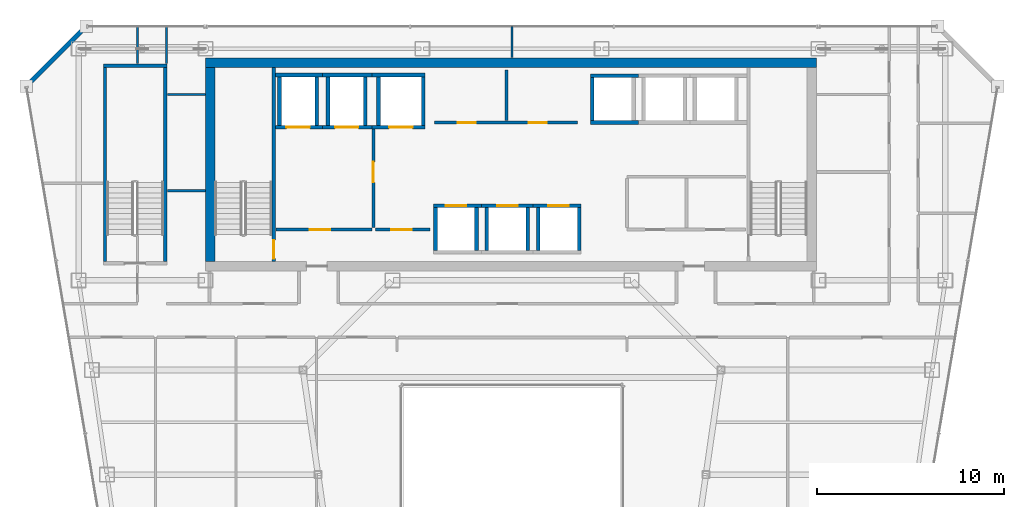
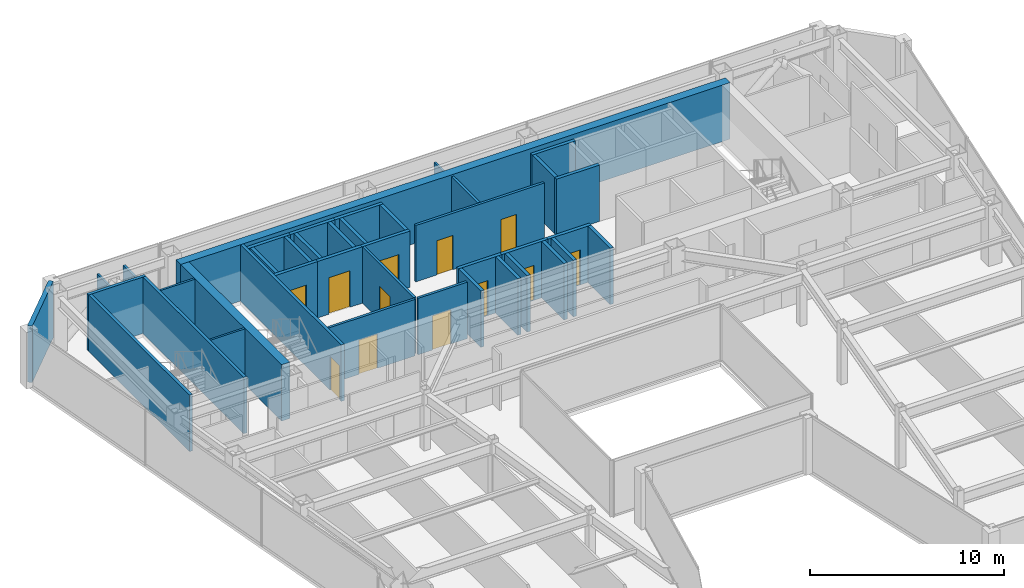
# One storey, part 31 of 35: 41 walls, 12 doors, 12 openings.
"""IFC4 building model written with IfcOpenShell, lengths in metres."""

from ifc_helpers import new_model, si_unit, direction, frame, frame_2d, origin, place, context, subcontext, project, spatial, rectangle, extrude, material, layer, layer_set, type_object, element, fill, save


model = new_model("IFC4")

# Units and contexts
model_context = context("Model", 3, precision=1e-05, world=origin(), true_north=direction((0.0, 1.0)))
body_context = subcontext(model_context, "Body", "Model", "MODEL_VIEW")
ifc_project = project(units=[si_unit("LENGTHUNIT", "METRE"), si_unit("AREAUNIT", "SQUARE_METRE"), si_unit("VOLUMEUNIT", "CUBIC_METRE"), si_unit("PLANEANGLEUNIT", "RADIAN"), si_unit("MASSUNIT", "GRAM", prefix="KILO")], contexts=[model_context])

# Site, building, storey
site_placement = place(None, origin())
site = spatial("IfcSite", under=ifc_project, at=site_placement, CompositionType="ELEMENT")
building_placement = place(site_placement, origin())
building = spatial("IfcBuilding", under=site, at=building_placement, Name="Saevonmaru Cultural Tower", CompositionType="ELEMENT")
storey_placement = place(building_placement, frame((0.0, 0.0, 194.199951171875)))
storey = spatial("IfcBuildingStorey", under=building, at=storey_placement, Name="L44", CompositionType="ELEMENT", Elevation=194.199951171875)

# Walls
ifc_material_1 = material(Name="Concrete C60/75", Category="concrete")
ifc_layer_1 = layer(ifc_material_1, 0.5, Name="Concrete C60/75")
ifc_layer_set_1 = layer_set([ifc_layer_1], Name="Concrete C60/75")
wall_type_1 = type_object("IfcWallType", Name="WL-CORE-500", PredefinedType="SHEAR", material=ifc_layer_set_1)
wall_1_placement = place(storey_placement, frame((13.60009765625, 54.050048828125, 0.0), z_axis=(0.0, 0.0, 1.0), x_axis=(1.0, 0.0, 0.0)))
element("IfcWall", 1, at=wall_1_placement, inside=storey, type_object=wall_type_1, Name="L44 Tower RC core shear wall N", PredefinedType="SHEAR", context=body_context, shape_type="SweptSolid", body=[
    extrude(rectangle(XDim=32.699951171875, YDim=0.5, at=frame_2d((16.35009765625, 0.0))), origin(), (0.0, 0.0, 1.0), 3.550048828125),
])
wall_2_placement = place(storey_placement, frame((13.85009765625, 43.39990234375, 0.0), z_axis=(0.0, 0.0, 1.0), x_axis=(0.0, 1.0, 0.0)))
element("IfcWall", 2, at=wall_2_placement, inside=storey, type_object=wall_type_1, Name="L44 Tower RC core shear wall W", PredefinedType="SHEAR", context=body_context, shape_type="SweptSolid", body=[
    extrude(rectangle(XDim=10.400146484375, YDim=0.5, at=frame_2d((5.2001953125, 0.0))), origin(), (0.0, 0.0, 1.0), 3.550048828125),
])

# Wall, opening, door
ifc_material_2 = material(Name="Gypsum Fireboard Partition", Category="gypsum")
ifc_layer_2 = layer(ifc_material_2, 0.14990234375, Name="Gypsum Fireboard Partition")
ifc_layer_set_2 = layer_set([ifc_layer_2], Name="Gypsum Fireboard Partition")
wall_type_2 = type_object("IfcWallType", Name="WL-CORE-PART-150", PredefinedType="PARTITIONING", material=ifc_layer_set_2)
wall_3_placement = place(storey_placement, frame((17.360107421875, 45.1201171875, 0.0), z_axis=(0.0, 0.0, 1.0), x_axis=(1.0, 0.0, 0.0)))
wall_3 = element("IfcWall", 3, at=wall_3_placement, inside=storey, type_object=wall_type_2, Name="L44 Firefighting Lift Lobby South Wall", PredefinedType="PARTITIONING", context=body_context, shape_type="SweptSolid", body=[
    extrude(rectangle(XDim=5.139892578125, YDim=0.14990234375, at=frame_2d((2.56982421875, 0.0))), origin(), (0.0, 0.0, 1.0), 3.550048828125),
])
opening_1_placement = place(wall_3_placement, frame((1.800048828125, 0.0, 0.0)))
opening_1 = element("IfcOpeningElement", 4, at=opening_1_placement, cuts=wall_3, Name="Opening FD-2", PredefinedType="OPENING", context=body_context, shape_type="SweptSolid", body=[
    extrude(rectangle(XDim=1.10009765625, YDim=2.14990234375, at=frame_2d((0.550048828125, 1.074951171875))), frame((0.0, 0.0849609375, 0.0), z_axis=(0.0, -1.0, 0.0), x_axis=(1.0, 0.0, 0.0)), (0.0, 0.0, 1.0), 0.169921875),
])
ifc_material_3 = material(Name="Satin Bronze Anodised Aluminium", Category="aluminium")
door_type_1 = type_object("IfcDoorType", Name="DR-FD60-1100", OperationType="SINGLE_SWING_LEFT", PredefinedType="DOOR", material=ifc_material_3)
door_1_placement = place(opening_1_placement, origin())
door_1 = element("IfcDoor", 5, at=door_1_placement, inside=storey, type_object=door_type_1, Name="L44 Firefighting Lift Lobby South Door", OperationType="SINGLE_SWING_LEFT", OverallHeight=2.14990234375, OverallWidth=1.10009765625, PredefinedType="DOOR", context=body_context, shape_type="SweptSolid", body=[
    extrude(rectangle(XDim=1.10009765625, YDim=2.14990234375, at=frame_2d((0.550048828125, 1.074951171875))), frame((0.0, 0.02490234375, 0.0), z_axis=(0.0, -1.0, 0.0), x_axis=(1.0, 0.0, 0.0)), (0.0, 0.0, 1.0), 0.050048828125),
])
fill(opening_1, door_1)

wall_4_placement = place(storey_placement, frame((22.580078125, 50.550048828125, 0.0), z_axis=(0.0, 0.0, 1.0), x_axis=(0.0, -1.0, 0.0)))
wall_4 = element("IfcWall", 6, at=wall_4_placement, inside=storey, type_object=wall_type_2, Name="L44 Firefighting Lift Lobby East Wall", PredefinedType="PARTITIONING", context=body_context, shape_type="SweptSolid", body=[
    extrude(rectangle(XDim=5.330078125, YDim=0.14990234375, at=frame_2d((2.6650390625, 0.0))), origin(), (0.0, 0.0, 1.0), 3.550048828125),
])
opening_2_placement = place(wall_4_placement, frame((1.800048828125, 0.0, 0.0)))
opening_2 = element("IfcOpeningElement", 7, at=opening_2_placement, cuts=wall_4, Name="Opening FD-2", PredefinedType="OPENING", context=body_context, shape_type="SweptSolid", body=[
    extrude(rectangle(XDim=1.10009765625, YDim=2.14990234375, at=frame_2d((0.550048828125, 1.074951171875))), frame((0.0, 0.0849609375, 0.0), z_axis=(0.0, -1.0, 0.0), x_axis=(1.0, 0.0, 0.0)), (0.0, 0.0, 1.0), 0.169921875),
])
door_2_placement = place(opening_2_placement, origin())
door_2 = element("IfcDoor", 8, at=door_2_placement, inside=storey, type_object=door_type_1, Name="L44 Firefighting Lift Lobby East Door", OperationType="SINGLE_SWING_LEFT", OverallHeight=2.14990234375, OverallWidth=1.10009765625, PredefinedType="DOOR", context=body_context, shape_type="SweptSolid", body=[
    extrude(rectangle(XDim=1.10009765625, YDim=2.14990234375, at=frame_2d((0.550048828125, 1.074951171875))), frame((0.0, 0.02490234375, 0.0), z_axis=(0.0, -1.0, 0.0), x_axis=(1.0, 0.0, 0.0)), (0.0, 0.0, 1.0), 0.050048828125),
])
fill(opening_2, door_2)

wall_5_placement = place(storey_placement, frame((22.679931640625, 45.1201171875, 0.0), z_axis=(0.0, 0.0, 1.0), x_axis=(1.0, 0.0, 0.0)))
wall_5 = element("IfcWall", 9, at=wall_5_placement, inside=storey, type_object=wall_type_2, Name="L44 Service Lift Vestibule Wall", PredefinedType="PARTITIONING", context=body_context, shape_type="SweptSolid", body=[
    extrude(rectangle(XDim=2.920166015625, YDim=0.14990234375, at=frame_2d((1.4599609375, 0.0))), origin(), (0.0, 0.0, 1.0), 3.550048828125),
])
opening_3_placement = place(wall_5_placement, frame((0.85009765625, 0.0, 0.0)))
opening_3 = element("IfcOpeningElement", 10, at=opening_3_placement, cuts=wall_5, Name="Opening FD-2", PredefinedType="OPENING", context=body_context, shape_type="SweptSolid", body=[
    extrude(rectangle(XDim=1.10009765625, YDim=2.14990234375, at=frame_2d((0.550048828125, 1.074951171875))), frame((0.0, 0.0849609375, 0.0), z_axis=(0.0, -1.0, 0.0), x_axis=(1.0, 0.0, 0.0)), (0.0, 0.0, 1.0), 0.169921875),
])
door_3_placement = place(opening_3_placement, origin())
door_3 = element("IfcDoor", 11, at=door_3_placement, inside=storey, type_object=door_type_1, Name="L44 Service Lift Vestibule Door", OperationType="SINGLE_SWING_LEFT", OverallHeight=2.14990234375, OverallWidth=1.10009765625, PredefinedType="DOOR", context=body_context, shape_type="SweptSolid", body=[
    extrude(rectangle(XDim=1.10009765625, YDim=2.14990234375, at=frame_2d((0.550048828125, 1.074951171875))), frame((0.0, 0.02490234375, 0.0), z_axis=(0.0, -1.0, 0.0), x_axis=(1.0, 0.0, 0.0)), (0.0, 0.0, 1.0), 0.050048828125),
])
fill(opening_3, door_3)

# Wall, openings, doors
wall_6_placement = place(storey_placement, frame((25.85009765625, 50.85009765625, 0.0), z_axis=(0.0, 0.0, 1.0), x_axis=(1.0, 0.0, 0.0)))
wall_6 = element("IfcWall", 12, at=wall_6_placement, inside=storey, type_object=wall_type_2, Name="L44 Reclaimed Core Room South Wall", PredefinedType="PARTITIONING", context=body_context, shape_type="SweptSolid", body=[
    extrude(rectangle(XDim=7.64990234375, YDim=0.14990234375, at=frame_2d((3.824951171875, 0.0))), origin(), (0.0, 0.0, 1.0), 3.550048828125),
])
opening_4_placement = place(wall_6_placement, frame((1.25, 0.0, 0.0)))
opening_4 = element("IfcOpeningElement", 13, at=opening_4_placement, cuts=wall_6, Name="Opening FD-4", PredefinedType="OPENING", context=body_context, shape_type="SweptSolid", body=[
    extrude(rectangle(XDim=0.949951171875, YDim=2.14990234375, at=frame_2d((0.47509765625, 1.074951171875))), frame((0.0, 0.0849609375, 0.0), z_axis=(0.0, -1.0, 0.0), x_axis=(1.0, 0.0, 0.0)), (0.0, 0.0, 1.0), 0.169921875),
])
opening_5_placement = place(wall_6_placement, frame((5.050048828125, 0.0, 0.0)))
opening_5 = element("IfcOpeningElement", 14, at=opening_5_placement, cuts=wall_6, Name="Opening FD-4", PredefinedType="OPENING", context=body_context, shape_type="SweptSolid", body=[
    extrude(rectangle(XDim=0.949951171875, YDim=2.14990234375, at=frame_2d((0.47509765625, 1.074951171875))), frame((0.0, 0.0849609375, 0.0), z_axis=(0.0, -1.0, 0.0), x_axis=(1.0, 0.0, 0.0)), (0.0, 0.0, 1.0), 0.169921875),
])
door_type_2 = type_object("IfcDoorType", Name="DR-FD60-950", OperationType="SINGLE_SWING_LEFT", PredefinedType="DOOR", material=ifc_material_3)
door_4_placement = place(opening_4_placement, origin())
door_4 = element("IfcDoor", 15, at=door_4_placement, inside=storey, type_object=door_type_2, Name="L44 Reclaimed Archive Vault Door", OperationType="SINGLE_SWING_LEFT", OverallHeight=2.14990234375, OverallWidth=0.949951171875, PredefinedType="DOOR", context=body_context, shape_type="SweptSolid", body=[
    extrude(rectangle(XDim=0.949951171875, YDim=2.14990234375, at=frame_2d((0.47509765625, 1.074951171875))), frame((0.0, 0.02490234375, 0.0), z_axis=(0.0, -1.0, 0.0), x_axis=(1.0, 0.0, 0.0)), (0.0, 0.0, 1.0), 0.050048828125),
])
fill(opening_4, door_4)
door_5_placement = place(opening_5_placement, origin())
door_5 = element("IfcDoor", 16, at=door_5_placement, inside=storey, type_object=door_type_2, Name="L44 Reclaimed Conservation Storage Door", OperationType="SINGLE_SWING_LEFT", OverallHeight=2.14990234375, OverallWidth=0.949951171875, PredefinedType="DOOR", context=body_context, shape_type="SweptSolid", body=[
    extrude(rectangle(XDim=0.949951171875, YDim=2.14990234375, at=frame_2d((0.47509765625, 1.074951171875))), frame((0.0, 0.02490234375, 0.0), z_axis=(0.0, -1.0, 0.0), x_axis=(1.0, 0.0, 0.0)), (0.0, 0.0, 1.0), 0.050048828125),
])
fill(opening_5, door_5)

# Walls
wall_7_placement = place(storey_placement, frame((29.699951171875, 50.949951171875, 0.0), z_axis=(0.0, 0.0, 1.0), x_axis=(0.0, 1.0, 0.0)))
element("IfcWall", 17, at=wall_7_placement, inside=storey, type_object=wall_type_2, Name="L44 Reclaimed Vault Split", PredefinedType="PARTITIONING", context=body_context, shape_type="SweptSolid", body=[
    extrude(rectangle(XDim=2.699951171875, YDim=0.14990234375, at=frame_2d((1.35009765625, 0.0))), origin(), (0.0, 0.0, 1.0), 3.550048828125),
])
ifc_material_4 = material(Name="Granite-Clad Precast Concrete C40/50", Category="masonry")
ifc_layer_3 = layer(ifc_material_4, 0.260009765625, Name="Granite-Clad Precast Concrete C40/50")
ifc_layer_set_3 = layer_set([ifc_layer_3], Name="Granite-Clad Precast Concrete C40/50")
wall_type_3 = type_object("IfcWallType", Name="WL-EXT-SPANDREL-260", PredefinedType="STANDARD", material=ifc_layer_set_3)
wall_8_placement = place(storey_placement, frame((7.0869140625, 55.886962890625, 0.0), z_axis=(0.0, 0.0, 1.0), x_axis=(-0.707106781187, -0.707106781187, 0.0)))
element("IfcWall", 18, at=wall_8_placement, inside=storey, type_object=wall_type_3, Name="L44 Chamfer Corner Spandrel Wall E11", PredefinedType="STANDARD", context=body_context, shape_type="SweptSolid", body=[
    extrude(rectangle(XDim=4.205810546875, YDim=0.260009765625, at=frame_2d((2.10302734375, 0.0))), origin(), (0.0, 0.0, 1.0), 3.550048828125),
])
ifc_layer_4 = layer(ifc_material_2, 0.1201171875, Name="Gypsum Fireboard Partition")
ifc_layer_set_4 = layer_set([ifc_layer_4], Name="Gypsum Fireboard Partition")
wall_type_4 = type_object("IfcWallType", Name="WL-PART-GYP-120", PredefinedType="PARTITIONING", material=ifc_layer_set_4)
wall_9_placement = place(storey_placement, frame((11.550048828125, 52.35009765625, 0.0), z_axis=(0.0, 0.0, 1.0), x_axis=(1.0, 0.0, 0.0)))
element("IfcWall", 19, at=wall_9_placement, inside=storey, type_object=wall_type_4, Name="L44 North-West Panorama South Wall", PredefinedType="PARTITIONING", context=body_context, shape_type="SweptSolid", body=[
    extrude(rectangle(XDim=2.030029296875, YDim=0.1201171875, at=frame_2d((1.01513671875, 0.0))), origin(), (0.0, 0.0, 1.0), 3.550048828125),
])
wall_10_placement = place(storey_placement, frame((30.0, 54.320068359375, 0.0), z_axis=(0.0, 0.0, 1.0), x_axis=(0.0, 1.0, 0.0)))
element("IfcWall", 20, at=wall_10_placement, inside=storey, type_object=wall_type_4, Name="L44 North Panorama Center Split", PredefinedType="PARTITIONING", context=body_context, shape_type="SweptSolid", body=[
    extrude(rectangle(XDim=1.675048828125, YDim=0.1201171875, at=frame_2d((0.83740234375, 0.0))), origin(), (0.0, 0.0, 1.0), 2.93505859375),
])
for number, where, z_axis, x_axis, name in (
    (21, (11.5, 54.0, 0.0), (0.0, 0.0, 1.0), (0.0, 1.0, 0.0), "L44 Periodical Reading Room Corridor Wall"),
    (22, (9.949951171875, 54.0, 0.0), (0.0, 0.0, 1.0), (0.0, 1.0, 0.0), "L44 Cartographic Study Library Corridor Wall"),
):
    element("IfcWall", number, at=place(storey_placement, frame(where, z_axis=z_axis, x_axis=x_axis)), inside=storey, type_object=wall_type_4, Name=name, PredefinedType="PARTITIONING", context=body_context, shape_type="SweptSolid", body=[
        extrude(rectangle(XDim=1.9951171875, YDim=0.1201171875, at=frame_2d((0.99755859375, 0.0))), origin(), (0.0, 0.0, 1.0), 2.93505859375),
    ])
wall_11_placement = place(storey_placement, frame((11.550048828125, 47.199951171875, 0.0), z_axis=(0.0, 0.0, 1.0), x_axis=(1.0, 0.0, 0.0)))
element("IfcWall", 23, at=wall_11_placement, inside=storey, type_object=wall_type_4, Name="L44 NW Inner Divider", PredefinedType="PARTITIONING", context=body_context, shape_type="SweptSolid", body=[
    extrude(rectangle(XDim=2.030029296875, YDim=0.1201171875, at=frame_2d((1.01513671875, 0.0))), origin(), (0.0, 0.0, 1.0), 3.550048828125),
])

# Wall, opening, door
ifc_material_5 = material(Name="Concrete C40/50", Category="concrete")
ifc_layer_5 = layer(ifc_material_5, 0.199951171875, Name="Concrete C40/50")
ifc_layer_set_5 = layer_set([ifc_layer_5], Name="Concrete C40/50")
wall_type_5 = type_object("IfcWallType", Name="WL-SHAFT-200", PredefinedType="SHEAR", material=ifc_layer_set_5)
wall_12_placement = place(storey_placement, frame((17.330078125, 50.60009765625, 0.0), z_axis=(0.0, 0.0, 1.0), x_axis=(1.0, 0.0, 0.0)))
wall_12 = element("IfcWall", 24, at=wall_12_placement, inside=storey, type_object=wall_type_5, Name="L44 Lift FFL-1 Hoistway Wall S", PredefinedType="SHEAR", context=body_context, shape_type="SweptSolid", body=[
    extrude(rectangle(XDim=2.52001953125, YDim=0.199951171875, at=frame_2d((1.260009765625, 0.0))), origin(), (0.0, 0.0, 1.0), 3.550048828125),
])
opening_6_placement = place(wall_12_placement, frame((0.594970703125, 0.0, 0.0)))
opening_6 = element("IfcOpeningElement", 25, at=opening_6_placement, cuts=wall_12, Name="Opening LD-2", PredefinedType="OPENING", context=body_context, shape_type="SweptSolid", body=[
    extrude(rectangle(XDim=1.25, YDim=2.300048828125, at=frame_2d((0.625, 1.14990234375))), frame((0.0, 0.10986328125, 0.0), z_axis=(0.0, -1.0, 0.0), x_axis=(1.0, 0.0, 0.0)), (0.0, 0.0, 1.0), 0.219970703125),
])
ifc_material_6 = material(Name="Stainless Steel 316", Category="steel")
door_type_3 = type_object("IfcDoorType", Name="DR-LIFT-1250", OperationType="SLIDING_TO_LEFT", PredefinedType="DOOR", material=ifc_material_6)
door_6_placement = place(opening_6_placement, origin())
door_6 = element("IfcDoor", 26, at=door_6_placement, inside=storey, type_object=door_type_3, Name="L44 Lift FFL-1 Sliding Landing Door", OperationType="SLIDING_TO_LEFT", OverallHeight=2.300048828125, OverallWidth=1.25, PredefinedType="DOOR", context=body_context, shape_type="SweptSolid", body=[
    extrude(rectangle(XDim=1.25, YDim=2.300048828125, at=frame_2d((0.625, 1.14990234375))), frame((0.0, 0.02490234375, 0.0), z_axis=(0.0, -1.0, 0.0), x_axis=(1.0, 0.0, 0.0)), (0.0, 0.0, 1.0), 0.050048828125),
])
fill(opening_6, door_6)

# Walls
wall_13_placement = place(storey_placement, frame((17.330078125, 53.39990234375, 0.0), z_axis=(0.0, 0.0, 1.0), x_axis=(1.0, 0.0, 0.0)))
element("IfcWall", 27, at=wall_13_placement, inside=storey, type_object=wall_type_5, Name="L44 Lift FFL-1 Hoistway Wall N", PredefinedType="SHEAR", context=body_context, shape_type="SweptSolid", body=[
    extrude(rectangle(XDim=2.52001953125, YDim=0.199951171875, at=frame_2d((1.260009765625, 0.0))), origin(), (0.0, 0.0, 1.0), 3.550048828125),
])
for number, where, z_axis, x_axis, name in (
    (28, (17.550048828125, 50.699951171875, 0.0), (0.0, 0.0, 1.0), (0.0, 1.0, 0.0), "L44 Lift FFL-1 Hoistway Wall W"),
    (29, (19.550048828125, 50.699951171875, 0.0), (0.0, 0.0, 1.0), (0.0, 1.0, 0.0), "L44 Lift FFL-1 Hoistway Wall E"),
):
    element("IfcWall", number, at=place(storey_placement, frame(where, z_axis=z_axis, x_axis=x_axis)), inside=storey, type_object=wall_type_5, Name=name, PredefinedType="SHEAR", context=body_context, shape_type="SweptSolid", body=[
        extrude(rectangle(XDim=2.60009765625, YDim=0.199951171875, at=frame_2d((1.300048828125, 0.0))), origin(), (0.0, 0.0, 1.0), 3.550048828125),
    ])

# Wall, opening, door
wall_14_placement = place(storey_placement, frame((19.85009765625, 50.60009765625, 0.0), z_axis=(0.0, 0.0, 1.0), x_axis=(1.0, 0.0, 0.0)))
wall_14 = element("IfcWall", 30, at=wall_14_placement, inside=storey, type_object=wall_type_5, Name="L44 Lift FFL-2 Hoistway Wall S", PredefinedType="SHEAR", context=body_context, shape_type="SweptSolid", body=[
    extrude(rectangle(XDim=2.64990234375, YDim=0.199951171875, at=frame_2d((1.324951171875, 0.0))), origin(), (0.0, 0.0, 1.0), 3.550048828125),
])
opening_7_placement = place(wall_14_placement, frame((0.675048828125, 0.0, 0.0)))
opening_7 = element("IfcOpeningElement", 31, at=opening_7_placement, cuts=wall_14, Name="Opening LD-2", PredefinedType="OPENING", context=body_context, shape_type="SweptSolid", body=[
    extrude(rectangle(XDim=1.25, YDim=2.300048828125, at=frame_2d((0.625, 1.14990234375))), frame((0.0, 0.10986328125, 0.0), z_axis=(0.0, -1.0, 0.0), x_axis=(1.0, 0.0, 0.0)), (0.0, 0.0, 1.0), 0.219970703125),
])
door_7_placement = place(opening_7_placement, origin())
door_7 = element("IfcDoor", 32, at=door_7_placement, inside=storey, type_object=door_type_3, Name="L44 Lift FFL-2 Sliding Landing Door", OperationType="SLIDING_TO_LEFT", OverallHeight=2.300048828125, OverallWidth=1.25, PredefinedType="DOOR", context=body_context, shape_type="SweptSolid", body=[
    extrude(rectangle(XDim=1.25, YDim=2.300048828125, at=frame_2d((0.625, 1.14990234375))), frame((0.0, 0.02490234375, 0.0), z_axis=(0.0, -1.0, 0.0), x_axis=(1.0, 0.0, 0.0)), (0.0, 0.0, 1.0), 0.050048828125),
])
fill(opening_7, door_7)

# Walls
wall_15_placement = place(storey_placement, frame((19.85009765625, 53.39990234375, 0.0), z_axis=(0.0, 0.0, 1.0), x_axis=(1.0, 0.0, 0.0)))
element("IfcWall", 33, at=wall_15_placement, inside=storey, type_object=wall_type_5, Name="L44 Lift FFL-2 Hoistway Wall N", PredefinedType="SHEAR", context=body_context, shape_type="SweptSolid", body=[
    extrude(rectangle(XDim=2.64990234375, YDim=0.199951171875, at=frame_2d((1.324951171875, 0.0))), origin(), (0.0, 0.0, 1.0), 3.550048828125),
])
for number, where, z_axis, x_axis, name in (
    (34, (20.14990234375, 50.699951171875, 0.0), (0.0, 0.0, 1.0), (0.0, 1.0, 0.0), "L44 Lift FFL-2 Hoistway Wall W"),
    (35, (22.14990234375, 50.699951171875, 0.0), (0.0, 0.0, 1.0), (0.0, 1.0, 0.0), "L44 Lift FFL-2 Hoistway Wall E"),
):
    element("IfcWall", number, at=place(storey_placement, frame(where, z_axis=z_axis, x_axis=x_axis)), inside=storey, type_object=wall_type_5, Name=name, PredefinedType="SHEAR", context=body_context, shape_type="SweptSolid", body=[
        extrude(rectangle(XDim=2.60009765625, YDim=0.199951171875, at=frame_2d((1.300048828125, 0.0))), origin(), (0.0, 0.0, 1.0), 3.550048828125),
    ])

# Wall, opening, door
wall_16_placement = place(storey_placement, frame((22.5, 50.60009765625, 0.0), z_axis=(0.0, 0.0, 1.0), x_axis=(1.0, 0.0, 0.0)))
wall_16 = element("IfcWall", 36, at=wall_16_placement, inside=storey, type_object=wall_type_5, Name="L44 Lift GL-1 Hoistway Wall S", PredefinedType="SHEAR", context=body_context, shape_type="SweptSolid", body=[
    extrude(rectangle(XDim=2.85009765625, YDim=0.199951171875, at=frame_2d((1.425048828125, 0.0))), origin(), (0.0, 0.0, 1.0), 3.550048828125),
])
opening_8_placement = place(wall_16_placement, frame((0.925048828125, 0.0, 0.0)))
opening_8 = element("IfcOpeningElement", 37, at=opening_8_placement, cuts=wall_16, Name="Opening LD-2", PredefinedType="OPENING", context=body_context, shape_type="SweptSolid", body=[
    extrude(rectangle(XDim=1.25, YDim=2.300048828125, at=frame_2d((0.625, 1.14990234375))), frame((0.0, 0.10986328125, 0.0), z_axis=(0.0, -1.0, 0.0), x_axis=(1.0, 0.0, 0.0)), (0.0, 0.0, 1.0), 0.219970703125),
])
door_8_placement = place(opening_8_placement, origin())
door_8 = element("IfcDoor", 38, at=door_8_placement, inside=storey, type_object=door_type_3, Name="L44 Lift GL-1 Sliding Landing Door", OperationType="SLIDING_TO_LEFT", OverallHeight=2.300048828125, OverallWidth=1.25, PredefinedType="DOOR", context=body_context, shape_type="SweptSolid", body=[
    extrude(rectangle(XDim=1.25, YDim=2.300048828125, at=frame_2d((0.625, 1.14990234375))), frame((0.0, 0.02490234375, 0.0), z_axis=(0.0, -1.0, 0.0), x_axis=(1.0, 0.0, 0.0)), (0.0, 0.0, 1.0), 0.050048828125),
])
fill(opening_8, door_8)

# Walls
wall_17_placement = place(storey_placement, frame((22.5, 53.39990234375, 0.0), z_axis=(0.0, 0.0, 1.0), x_axis=(1.0, 0.0, 0.0)))
element("IfcWall", 39, at=wall_17_placement, inside=storey, type_object=wall_type_5, Name="L44 Lift GL-1 Hoistway Wall N", PredefinedType="SHEAR", context=body_context, shape_type="SweptSolid", body=[
    extrude(rectangle(XDim=2.85009765625, YDim=0.199951171875, at=frame_2d((1.425048828125, 0.0))), origin(), (0.0, 0.0, 1.0), 3.550048828125),
])
for number, where, z_axis, x_axis, name in (
    (40, (22.85009765625, 50.699951171875, 0.0), (0.0, 0.0, 1.0), (0.0, 1.0, 0.0), "L44 Lift GL-1 Hoistway Wall W"),
    (41, (25.25, 50.699951171875, 0.0), (0.0, 0.0, 1.0), (0.0, 1.0, 0.0), "L44 Lift GL-1 Hoistway Wall E"),
):
    element("IfcWall", number, at=place(storey_placement, frame(where, z_axis=z_axis, x_axis=x_axis)), inside=storey, type_object=wall_type_5, Name=name, PredefinedType="SHEAR", context=body_context, shape_type="SweptSolid", body=[
        extrude(rectangle(XDim=2.60009765625, YDim=0.199951171875, at=frame_2d((1.300048828125, 0.0))), origin(), (0.0, 0.0, 1.0), 3.550048828125),
    ])

# Wall, opening, door
wall_18_placement = place(storey_placement, frame((25.800048828125, 46.39990234375, 0.0), z_axis=(0.0, 0.0, 1.0), x_axis=(1.0, 0.0, 0.0)))
wall_18 = element("IfcWall", 42, at=wall_18_placement, inside=storey, type_object=wall_type_5, Name="L44 Lift PL-M1 Hoistway Wall N", PredefinedType="SHEAR", context=body_context, shape_type="SweptSolid", body=[
    extrude(rectangle(XDim=2.574951171875, YDim=0.199951171875, at=frame_2d((1.28759765625, 0.0))), origin(), (0.0, 0.0, 1.0), 3.550048828125),
])
opening_9_placement = place(wall_18_placement, frame((0.64990234375, 0.0, 0.0)))
opening_9 = element("IfcOpeningElement", 43, at=opening_9_placement, cuts=wall_18, Name="Opening LD-1", PredefinedType="OPENING", context=body_context, shape_type="SweptSolid", body=[
    extrude(rectangle(XDim=1.10009765625, YDim=2.199951171875, at=frame_2d((0.550048828125, 1.10009765625))), frame((0.0, 0.10986328125, 0.0), z_axis=(0.0, -1.0, 0.0), x_axis=(1.0, 0.0, 0.0)), (0.0, 0.0, 1.0), 0.219970703125),
])
ifc_material_7 = material(Name="Satin Bronze Stainless Steel", Category="steel")
door_type_4 = type_object("IfcDoorType", Name="DR-LIFT-1100", OperationType="SLIDING_TO_LEFT", PredefinedType="DOOR", material=ifc_material_7)
door_9_placement = place(opening_9_placement, origin())
door_9 = element("IfcDoor", 44, at=door_9_placement, inside=storey, type_object=door_type_4, Name="L44 Lift PL-M1 Sliding Landing Door", OperationType="SLIDING_TO_LEFT", OverallHeight=2.199951171875, OverallWidth=1.10009765625, PredefinedType="DOOR", context=body_context, shape_type="SweptSolid", body=[
    extrude(rectangle(XDim=1.10009765625, YDim=2.199951171875, at=frame_2d((0.550048828125, 1.10009765625))), frame((0.0, 0.02490234375, 0.0), z_axis=(0.0, -1.0, 0.0), x_axis=(1.0, 0.0, 0.0)), (0.0, 0.0, 1.0), 0.050048828125),
])
fill(opening_9, door_9)

# Walls
for number, where, z_axis, x_axis, name in (
    (45, (25.89990234375, 44.0, 0.0), (0.0, 0.0, 1.0), (0.0, 1.0, 0.0), "L44 Lift PL-M1 Hoistway Wall W"),
    (46, (28.10009765625, 44.0, 0.0), (0.0, 0.0, 1.0), (0.0, 1.0, 0.0), "L44 Lift PL-M1 Hoistway Wall E"),
):
    element("IfcWall", number, at=place(storey_placement, frame(where, z_axis=z_axis, x_axis=x_axis)), inside=storey, type_object=wall_type_5, Name=name, PredefinedType="SHEAR", context=body_context, shape_type="SweptSolid", body=[
        extrude(rectangle(XDim=2.300048828125, YDim=0.199951171875, at=frame_2d((1.14990234375, 0.0))), origin(), (0.0, 0.0, 1.0), 3.550048828125),
    ])

# Wall, opening, door
wall_19_placement = place(storey_placement, frame((28.375, 46.39990234375, 0.0), z_axis=(0.0, 0.0, 1.0), x_axis=(1.0, 0.0, 0.0)))
wall_19 = element("IfcWall", 47, at=wall_19_placement, inside=storey, type_object=wall_type_5, Name="L44 Lift PL-M2 Hoistway Wall N", PredefinedType="SHEAR", context=body_context, shape_type="SweptSolid", body=[
    extrude(rectangle(XDim=2.75, YDim=0.199951171875, at=frame_2d((1.375, 0.0))), origin(), (0.0, 0.0, 1.0), 3.550048828125),
])
opening_10_placement = place(wall_19_placement, frame((0.824951171875, 0.0, 0.0)))
opening_10 = element("IfcOpeningElement", 48, at=opening_10_placement, cuts=wall_19, Name="Opening LD-1", PredefinedType="OPENING", context=body_context, shape_type="SweptSolid", body=[
    extrude(rectangle(XDim=1.10009765625, YDim=2.199951171875, at=frame_2d((0.550048828125, 1.10009765625))), frame((0.0, 0.10986328125, 0.0), z_axis=(0.0, -1.0, 0.0), x_axis=(1.0, 0.0, 0.0)), (0.0, 0.0, 1.0), 0.219970703125),
])
door_10_placement = place(opening_10_placement, origin())
door_10 = element("IfcDoor", 49, at=door_10_placement, inside=storey, type_object=door_type_4, Name="L44 Lift PL-M2 Sliding Landing Door", OperationType="SLIDING_TO_LEFT", OverallHeight=2.199951171875, OverallWidth=1.10009765625, PredefinedType="DOOR", context=body_context, shape_type="SweptSolid", body=[
    extrude(rectangle(XDim=1.10009765625, YDim=2.199951171875, at=frame_2d((0.550048828125, 1.10009765625))), frame((0.0, 0.02490234375, 0.0), z_axis=(0.0, -1.0, 0.0), x_axis=(1.0, 0.0, 0.0)), (0.0, 0.0, 1.0), 0.050048828125),
])
fill(opening_10, door_10)

# Walls
for number, where, z_axis, x_axis, name in (
    (50, (28.64990234375, 44.0, 0.0), (0.0, 0.0, 1.0), (0.0, 1.0, 0.0), "L44 Lift PL-M2 Hoistway Wall W"),
    (51, (30.85009765625, 44.0, 0.0), (0.0, 0.0, 1.0), (0.0, 1.0, 0.0), "L44 Lift PL-M2 Hoistway Wall E"),
):
    element("IfcWall", number, at=place(storey_placement, frame(where, z_axis=z_axis, x_axis=x_axis)), inside=storey, type_object=wall_type_5, Name=name, PredefinedType="SHEAR", context=body_context, shape_type="SweptSolid", body=[
        extrude(rectangle(XDim=2.300048828125, YDim=0.199951171875, at=frame_2d((1.14990234375, 0.0))), origin(), (0.0, 0.0, 1.0), 3.550048828125),
    ])

# Wall, opening, door
wall_20_placement = place(storey_placement, frame((31.125, 46.39990234375, 0.0), z_axis=(0.0, 0.0, 1.0), x_axis=(1.0, 0.0, 0.0)))
wall_20 = element("IfcWall", 52, at=wall_20_placement, inside=storey, type_object=wall_type_5, Name="L44 Lift PL-M3 Hoistway Wall N", PredefinedType="SHEAR", context=body_context, shape_type="SweptSolid", body=[
    extrude(rectangle(XDim=2.574951171875, YDim=0.199951171875, at=frame_2d((1.28759765625, 0.0))), origin(), (0.0, 0.0, 1.0), 3.550048828125),
])
opening_11_placement = place(wall_20_placement, frame((0.824951171875, 0.0, 0.0)))
opening_11 = element("IfcOpeningElement", 53, at=opening_11_placement, cuts=wall_20, Name="Opening LD-1", PredefinedType="OPENING", context=body_context, shape_type="SweptSolid", body=[
    extrude(rectangle(XDim=1.10009765625, YDim=2.199951171875, at=frame_2d((0.550048828125, 1.10009765625))), frame((0.0, 0.10986328125, 0.0), z_axis=(0.0, -1.0, 0.0), x_axis=(1.0, 0.0, 0.0)), (0.0, 0.0, 1.0), 0.219970703125),
])
door_11_placement = place(opening_11_placement, origin())
door_11 = element("IfcDoor", 54, at=door_11_placement, inside=storey, type_object=door_type_4, Name="L44 Lift PL-M3 Sliding Landing Door", OperationType="SLIDING_TO_LEFT", OverallHeight=2.199951171875, OverallWidth=1.10009765625, PredefinedType="DOOR", context=body_context, shape_type="SweptSolid", body=[
    extrude(rectangle(XDim=1.10009765625, YDim=2.199951171875, at=frame_2d((0.550048828125, 1.10009765625))), frame((0.0, 0.02490234375, 0.0), z_axis=(0.0, -1.0, 0.0), x_axis=(1.0, 0.0, 0.0)), (0.0, 0.0, 1.0), 0.050048828125),
])
fill(opening_11, door_11)

# Walls
for number, where, z_axis, x_axis, name in (
    (55, (31.39990234375, 44.0, 0.0), (0.0, 0.0, 1.0), (0.0, 1.0, 0.0), "L44 Lift PL-M3 Hoistway Wall W"),
    (56, (33.60009765625, 44.0, 0.0), (0.0, 0.0, 1.0), (0.0, 1.0, 0.0), "L44 Lift PL-M3 Hoistway Wall E"),
):
    element("IfcWall", number, at=place(storey_placement, frame(where, z_axis=z_axis, x_axis=x_axis)), inside=storey, type_object=wall_type_5, Name=name, PredefinedType="SHEAR", context=body_context, shape_type="SweptSolid", body=[
        extrude(rectangle(XDim=2.300048828125, YDim=0.199951171875, at=frame_2d((1.14990234375, 0.0))), origin(), (0.0, 0.0, 1.0), 3.550048828125),
    ])
for number, where, z_axis, x_axis, name in (
    (57, (34.199951171875, 50.85009765625, 0.0), (0.0, 0.0, 1.0), (1.0, 0.0, 0.0), "L44 Lift PL-H1 Hoistway Wall S"),
    (58, (34.199951171875, 53.35009765625, 0.0), (0.0, 0.0, 1.0), (1.0, 0.0, 0.0), "L44 Lift PL-H1 Hoistway Wall N"),
):
    element("IfcWall", number, at=place(storey_placement, frame(where, z_axis=z_axis, x_axis=x_axis)), inside=storey, type_object=wall_type_5, Name=name, PredefinedType="SHEAR", context=body_context, shape_type="SweptSolid", body=[
        extrude(rectangle(XDim=2.574951171875, YDim=0.199951171875, at=frame_2d((1.28759765625, 0.0))), origin(), (0.0, 0.0, 1.0), 3.550048828125),
    ])
wall_21_placement = place(storey_placement, frame((34.300048828125, 50.949951171875, 0.0), z_axis=(0.0, 0.0, 1.0), x_axis=(0.0, 1.0, 0.0)))
element("IfcWall", 59, at=wall_21_placement, inside=storey, type_object=wall_type_5, Name="L44 Lift PL-H1 Hoistway Wall W", PredefinedType="SHEAR", context=body_context, shape_type="SweptSolid", body=[
    extrude(rectangle(XDim=2.300048828125, YDim=0.199951171875, at=frame_2d((1.14990234375, 0.0))), origin(), (0.0, 0.0, 1.0), 3.550048828125),
])

# Wall, opening, door
ifc_layer_6 = layer(ifc_material_5, 0.179931640625, Name="Concrete C40/50")
ifc_layer_set_6 = layer_set([ifc_layer_6], Name="Concrete C40/50")
wall_type_6 = type_object("IfcWallType", Name="WL-STSHAFT-180", PredefinedType="SHEAR", material=ifc_layer_set_6)
wall_22_placement = place(storey_placement, frame((17.239990234375, 43.39990234375, 0.0), z_axis=(0.0, 0.0, 1.0), x_axis=(0.0, 1.0, 0.0)))
wall_22 = element("IfcWall", 60, at=wall_22_placement, inside=storey, type_object=wall_type_6, Name="L44 Stair ST-1 Structural Shaft Wall 1", PredefinedType="SHEAR", context=body_context, shape_type="SweptSolid", body=[
    extrude(rectangle(XDim=10.400146484375, YDim=0.179931640625, at=frame_2d((5.2001953125, 0.0))), origin(), (0.0, 0.0, 1.0), 3.550048828125),
])
opening_12_placement = place(wall_22_placement, frame((0.159912109375, 0.0, 0.0)))
opening_12 = element("IfcOpeningElement", 61, at=opening_12_placement, cuts=wall_22, Name="Opening FD-3", PredefinedType="OPENING", context=body_context, shape_type="SweptSolid", body=[
    extrude(rectangle(XDim=1.0, YDim=2.14990234375, at=frame_2d((0.5, 1.074951171875))), frame((0.0, 0.10009765625, 0.0), z_axis=(0.0, -1.0, 0.0), x_axis=(1.0, 0.0, 0.0)), (0.0, 0.0, 1.0), 0.199951171875),
])
door_type_5 = type_object("IfcDoorType", Name="DR-FD60-1000", OperationType="SINGLE_SWING_RIGHT", PredefinedType="DOOR", material=ifc_material_3)
door_12_placement = place(opening_12_placement, origin())
door_12 = element("IfcDoor", 62, at=door_12_placement, inside=storey, type_object=door_type_5, Name="L44 Protected Stair ST-1 Fire Door", OperationType="SINGLE_SWING_RIGHT", OverallHeight=2.14990234375, OverallWidth=1.0, PredefinedType="DOOR", context=body_context, shape_type="SweptSolid", body=[
    extrude(rectangle(XDim=1.0, YDim=2.14990234375, at=frame_2d((0.5, 1.074951171875))), frame((0.0, 0.02490234375, 0.0), z_axis=(0.0, -1.0, 0.0), x_axis=(1.0, 0.0, 0.0)), (0.0, 0.0, 1.0), 0.050048828125),
])
fill(opening_12, door_12)

# Walls
wall_23_placement = place(storey_placement, frame((11.43994140625, 43.39990234375, 0.0), z_axis=(0.0, 0.0, 1.0), x_axis=(0.0, 1.0, 0.0)))
element("IfcWall", 63, at=wall_23_placement, inside=storey, type_object=wall_type_6, Name="L44 Stair ST-3 Structural Shaft Wall 2", PredefinedType="SHEAR", context=body_context, shape_type="SweptSolid", body=[
    extrude(rectangle(XDim=10.400146484375, YDim=0.179931640625, at=frame_2d((5.2001953125, 0.0))), origin(), (0.0, 0.0, 1.0), 3.550048828125),
])
wall_24_placement = place(storey_placement, frame((11.530029296875, 53.889892578125, 0.0), z_axis=(0.0, 0.0, 1.0), x_axis=(-1.0, 0.0, 0.0)))
element("IfcWall", 64, at=wall_24_placement, inside=storey, type_object=wall_type_6, Name="L44 Stair ST-3 Structural Shaft Wall 3", PredefinedType="SHEAR", context=body_context, shape_type="SweptSolid", body=[
    extrude(rectangle(XDim=3.409912109375, YDim=0.179931640625, at=frame_2d((1.705078125, 0.0))), origin(), (0.0, 0.0, 1.0), 3.550048828125),
])
wall_25_placement = place(storey_placement, frame((8.2099609375, 53.800048828125, 0.0), z_axis=(0.0, 0.0, 1.0), x_axis=(0.0, -1.0, 0.0)))
element("IfcWall", 65, at=wall_25_placement, inside=storey, type_object=wall_type_6, Name="L44 Stair ST-3 Structural Shaft Wall 4", PredefinedType="SHEAR", context=body_context, shape_type="SweptSolid", body=[
    extrude(rectangle(XDim=10.400146484375, YDim=0.179931640625, at=frame_2d((5.2001953125, 0.0))), origin(), (0.0, 0.0, 1.0), 3.550048828125),
])

save(model, "model.ifc")
